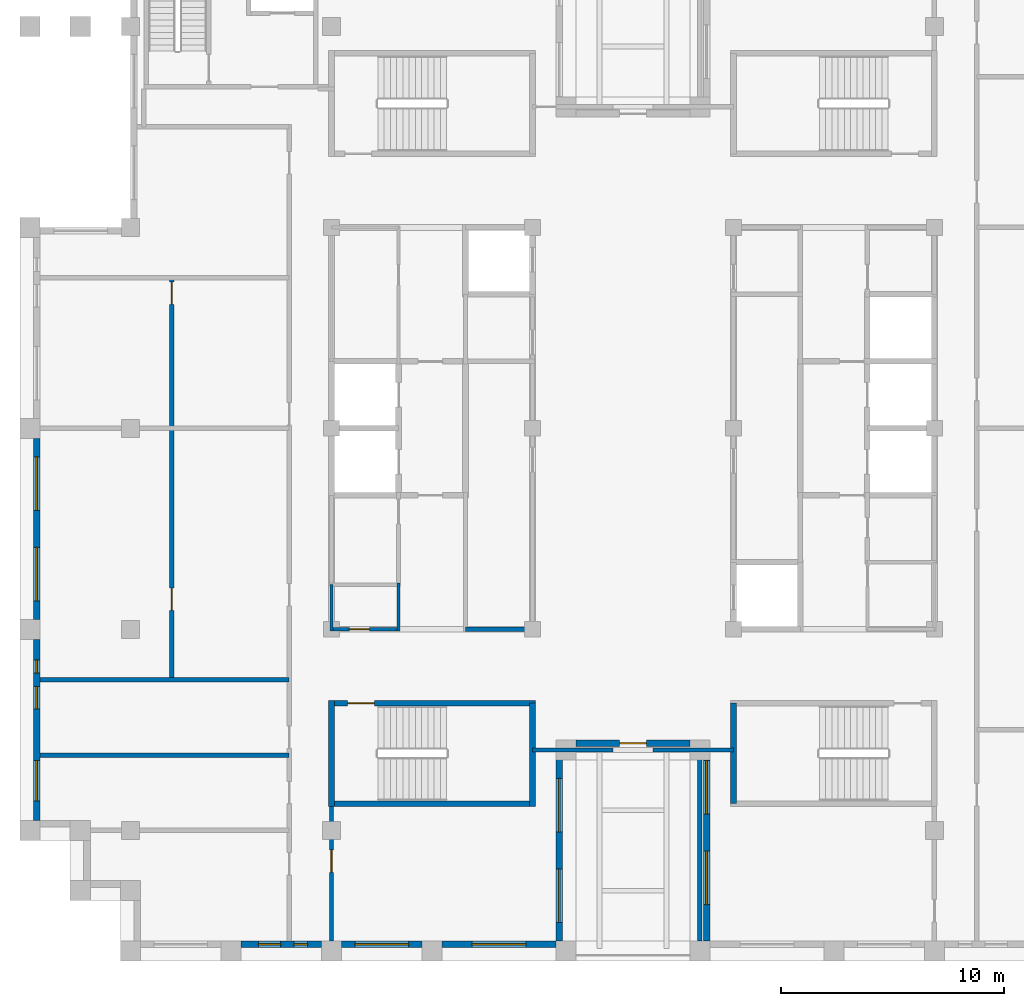
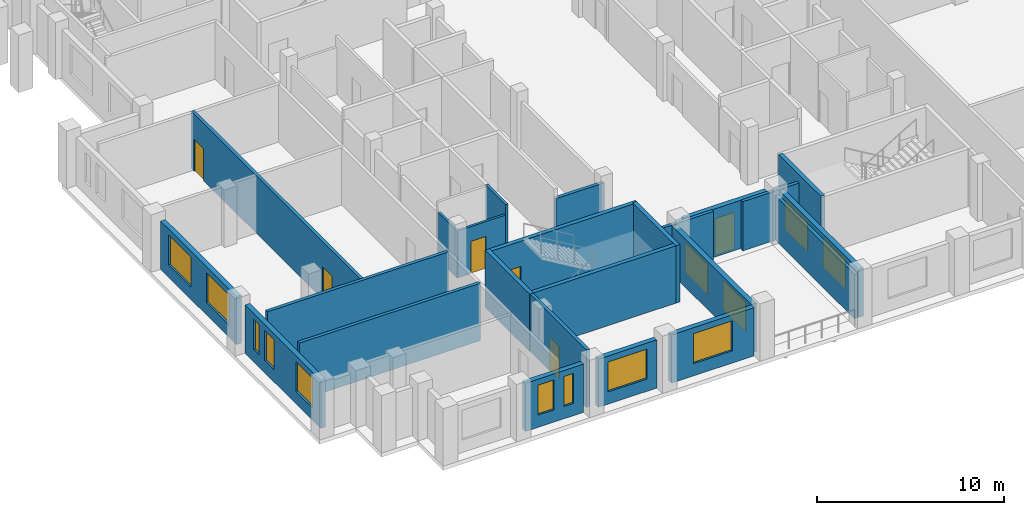
# One storey, part 2 of 9: 24 walls, 13 windows, 6 doors, 19 openings.
"""IFC4 building model written with IfcOpenShell, lengths in metres."""

import ifcopenshell
import ifcopenshell.guid

model = None  # the IFC model being written
_history = None  # IfcOwnerHistory: only IFC2X3 demands one
_inside = {}  # id of a spatial element -> (the spatial element, [elements in it])
_under = {}  # id of a project, library or spatial element -> (it, [spatial elements below it])
_declared = {}  # id of a project -> (the project, [libraries it declares])
_typed = {}  # id of a type object -> (the type object, [elements of that type])
_made_of = {}  # id of a material, layer set ... -> (it, [elements and type objects made of it])


def new_model(schema):
    """Start an empty IFC model of exactly this schema.

    Asked for "IFC4X3", IfcOpenShell would pick the latest addendum, in which some entities
    have other attributes; the version numbers below select the first issue.
    IFC2X3 requires an IfcOwnerHistory on every rooted entity: one is made here for all.
    """
    global model, _history
    if schema == "IFC4X3":
        model = ifcopenshell.file(schema_version=(4, 3, 0, 0))
    else:
        model = ifcopenshell.file(schema=schema)
    _inside.clear()
    _under.clear()
    _declared.clear()
    _typed.clear()
    _made_of.clear()
    _history = None
    if model.schema == "IFC2X3":
        org = make("IfcOrganization", Name="unknown")
        user = make(
            "IfcPersonAndOrganization",
            ThePerson=make("IfcPerson", FamilyName="unknown"),
            TheOrganization=org,
        )
        app = make(
            "IfcApplication",
            ApplicationDeveloper=org,
            Version="unknown",
            ApplicationFullName="unknown",
            ApplicationIdentifier="unknown",
        )
        _history = make(
            "IfcOwnerHistory",
            OwningUser=user,
            OwningApplication=app,
            ChangeAction="ADDED",
            CreationDate=0,
        )
    return model


def make(cls, **values):
    """One entity of the class cls with the attributes given. An attribute that is None is left unset."""
    return model.create_entity(
        cls, **{name: value for name, value in values.items() if value is not None}
    )


def rooted(cls, **values):
    """An entity with a GlobalId (a new one), such as an element, a storey or a relation."""
    return make(cls, GlobalId=ifcopenshell.guid.new(), OwnerHistory=_history, **values)


def si_unit(unit_type, name, prefix=None):
    """IfcSIUnit, for example si_unit("LENGTHUNIT", "METRE", prefix="MILLI")."""
    return make("IfcSIUnit", UnitType=unit_type, Prefix=prefix, Name=name)


def assignment(units):
    """IfcUnitAssignment: the units of a project."""
    return None if units is None else make("IfcUnitAssignment", Units=units)


def point(xyz):
    """IfcCartesianPoint."""
    return None if xyz is None else make("IfcCartesianPoint", Coordinates=xyz)


def direction(xyz):
    """IfcDirection."""
    return None if xyz is None else make("IfcDirection", DirectionRatios=xyz)


def frame(location, z_axis=None, x_axis=None):
    """IfcAxis2Placement3D, a coordinate frame: its origin and axes. An axis left out is left unset."""
    return make(
        "IfcAxis2Placement3D",
        Location=point(location),
        Axis=direction(z_axis),
        RefDirection=direction(x_axis),
    )


def frame_2d(location, x_axis=None):
    """IfcAxis2Placement2D, a coordinate frame in the plane: its origin and x axis."""
    return make(
        "IfcAxis2Placement2D", Location=point(location), RefDirection=direction(x_axis)
    )


def origin():
    """The frame at (0, 0, 0) with its axes left unset."""
    return frame((0.0, 0.0, 0.0))


def place(relative_to, where):
    """IfcLocalPlacement: puts the frame where relative to a parent placement (None: the world)."""
    return make(
        "IfcLocalPlacement", PlacementRelTo=relative_to, RelativePlacement=where
    )


def context(
    kind, dimensions, precision=None, world=None, true_north=None, identifier=None
):
    """IfcGeometricRepresentationContext, for example the 3D "Model" context."""
    return make(
        "IfcGeometricRepresentationContext",
        ContextIdentifier=identifier,
        ContextType=kind,
        CoordinateSpaceDimension=dimensions,
        Precision=precision,
        WorldCoordinateSystem=world,
        TrueNorth=true_north,
    )


def subcontext(parent, identifier, kind, view, scale=None):
    """IfcGeometricRepresentationSubContext, for example "Body" below "Model"."""
    return make(
        "IfcGeometricRepresentationSubContext",
        ContextIdentifier=identifier,
        ContextType=kind,
        ParentContext=parent,
        TargetScale=scale,
        TargetView=view,
    )


def project(units=None, contexts=None):
    """IfcProject with its units and contexts."""
    return rooted(
        "IfcProject",
        Name="project",
        RepresentationContexts=contexts,
        UnitsInContext=assignment(units),
    )


def spatial(cls, under=None, at=None, **own):
    """A site, building, storey or space (cls), placed at a placement, below another one or the project."""
    s = rooted(cls, ObjectPlacement=at, **own)
    if under is not None:
        _under.setdefault(under.id(), (under, []))[1].append(s)
    return s


def profile(cls, at=None, kind="AREA", **sizes):
    """A parametric profile (cls). Its sizes go by their IFC names, for example OverallWidth=200.0."""
    return make(cls, ProfileType=kind, Position=at, **sizes)


def rectangle(**sizes):
    """IfcRectangleProfileDef."""
    return profile("IfcRectangleProfileDef", **sizes)


def extrude(swept, where, along, depth):
    """IfcExtrudedAreaSolid: the profile swept, set in the frame where, extruded along a direction by depth."""
    return make(
        "IfcExtrudedAreaSolid",
        SweptArea=swept,
        Position=where,
        ExtrudedDirection=direction(along),
        Depth=depth,
    )


def shape(context_of_items, identifier, shape_type, items):
    """IfcShapeRepresentation: the items that make up one representation, for example the "Body"."""
    return make(
        "IfcShapeRepresentation",
        ContextOfItems=context_of_items,
        RepresentationIdentifier=identifier,
        RepresentationType=shape_type,
        Items=items,
    )


def material(Name=None, Category=None):
    """IfcMaterial."""
    return make("IfcMaterial", Name=Name, Category=Category)


def layer(
    of_material, thickness, ventilated=None, Name=None, Category=None, Priority=None
):
    """IfcMaterialLayer: one layer of a wall or slab, of a material (None: an air gap)."""
    return make(
        "IfcMaterialLayer",
        Material=of_material,
        LayerThickness=thickness,
        IsVentilated=ventilated,
        Name=Name,
        Category=Category,
        Priority=Priority,
    )


def layer_set(layers, Name=None):
    """IfcMaterialLayerSet."""
    return make("IfcMaterialLayerSet", MaterialLayers=layers, LayerSetName=Name)


def made_of(thing, what):
    """Note that an element or type object is made of a material, layer set ...; save() writes the relation."""
    if what is not None:
        _made_of.setdefault(what.id(), (what, []))[1].append(thing)
    return thing


def type_object(cls, material=None, **own):
    """A type object (cls), such as IfcWallType, which elements share."""
    return made_of(rooted(cls, **own), material)


def element(
    cls,
    number,
    at=None,
    inside=None,
    cuts=None,
    type_object=None,
    material=None,
    context=None,
    identifier="Body",
    shape_type=None,
    held_by="IfcProductDefinitionShape",
    body=None,
    shapes=None,
    **own,
):
    """One element of the class cls, such as IfcWall. Its Tag is "e" and its number.

    at: its placement. inside: the storey or other place that contains it. cuts: it is an
    opening in that element (IfcRelVoidsElement). A single representation is given by context,
    identifier, shape_type and body (its items); several are given by shapes. held_by: the class
    of the entity that holds the representations. save() writes the other relations.
    """
    e = rooted(cls, Tag="e%d" % number, ObjectPlacement=at, **own)
    if body is not None:
        shapes = [shape(context, identifier, shape_type, body)]
    if shapes is not None:
        e.Representation = make(held_by, Representations=shapes)
    if inside is not None:
        _inside.setdefault(inside.id(), (inside, []))[1].append(e)
    if cuts is not None:
        rooted(
            "IfcRelVoidsElement", RelatingBuildingElement=cuts, RelatedOpeningElement=e
        )
    if type_object is not None:
        _typed.setdefault(type_object.id(), (type_object, []))[1].append(e)
    return made_of(e, material)


def fill(opening, filler):
    """IfcRelFillsElement: the door or window that sits in an opening."""
    return rooted(
        "IfcRelFillsElement",
        RelatingOpeningElement=opening,
        RelatedBuildingElement=filler,
    )


def aggregate(whole, parts):
    """IfcRelAggregates: a whole, such as a stair, and the parts it consists of."""
    return rooted("IfcRelAggregates", RelatingObject=whole, RelatedObjects=parts)


def save(model, path):
    """Write the relations noted so far, then the file.

    IfcRelAggregates (storeys below a building ...), IfcRelContainedInSpatialStructure (elements
    in a storey), IfcRelDefinesByType, IfcRelAssociatesMaterial and IfcRelDeclares: one each for
    every whole, place, type object, material and project.
    """
    for whole, parts in _under.values():
        aggregate(whole, parts)
    for where, things in _inside.values():
        rooted(
            "IfcRelContainedInSpatialStructure",
            RelatedElements=things,
            RelatingStructure=where,
        )
    for kind, things in _typed.values():
        rooted("IfcRelDefinesByType", RelatedObjects=things, RelatingType=kind)
    for what, things in _made_of.values():
        rooted("IfcRelAssociatesMaterial", RelatedObjects=things, RelatingMaterial=what)
    for by, libraries in _declared.values():
        rooted("IfcRelDeclares", RelatingContext=by, RelatedDefinitions=libraries)
    model.write(path)


model = new_model("IFC4")

# Units and contexts
model_context = context("Model", 3, precision=1e-05, world=origin(), true_north=direction((0.0, 1.0)))
body_context = subcontext(model_context, "Body", "Model", "MODEL_VIEW")
ifc_project = project(units=[si_unit("LENGTHUNIT", "METRE"), si_unit("AREAUNIT", "SQUARE_METRE"), si_unit("VOLUMEUNIT", "CUBIC_METRE"), si_unit("PLANEANGLEUNIT", "RADIAN"), si_unit("MASSUNIT", "GRAM", prefix="KILO")], contexts=[model_context])

# Site, building, storey
site_placement = place(None, origin())
site = spatial("IfcSite", under=ifc_project, at=site_placement, CompositionType="ELEMENT")
building_placement = place(site_placement, origin())
building = spatial("IfcBuilding", under=site, at=building_placement, Name="Corbelhall Arena Tower", CompositionType="ELEMENT")
storey_placement = place(building_placement, frame((0.0, 0.0, 300.0)))
storey = spatial("IfcBuildingStorey", under=building, at=storey_placement, Name="L65", CompositionType="ELEMENT", Elevation=300.0)

# Wall, openings, windows
ifc_material_1 = material(Name="Precast concrete C40/50 with granite facing", Category="masonry")
ifc_layer_1 = layer(ifc_material_1, 0.300048828125)
ifc_layer_set_1 = layer_set([ifc_layer_1], Name="EV-IW1 Infill panel 300")
wall_type_1 = type_object("IfcWallType", Name="EV-IW1 Infill panel 300", PredefinedType="SOLIDWALL", material=ifc_layer_set_1)
wall_1_placement = place(storey_placement, frame((-26.699951171875, -0.449951171875, 0.0), z_axis=(0.0, 0.0, 1.0), x_axis=(0.0, -1.0, 0.0)))
wall_1 = element("IfcWall", 1, at=wall_1_placement, inside=storey, type_object=wall_type_1, Name="Infill panel IW1", PredefinedType="SOLIDWALL", context=body_context, shape_type="SweptSolid", body=[
    extrude(rectangle(XDim=8.10009765625, YDim=0.300048828125, at=frame_2d((4.050048828125, 0.0))), origin(), (0.0, 0.0, 1.0), 3.139892578125),
])
opening_1_placement = place(wall_1_placement, frame((0.824951171875, 0.0, 0.800048828125)))
opening_1 = element("IfcOpeningElement", 2, at=opening_1_placement, cuts=wall_1, Name="Opening WN1", PredefinedType="OPENING", context=body_context, shape_type="SweptSolid", body=[
    extrude(rectangle(XDim=2.39990234375, YDim=1.949951171875, at=frame_2d((1.199951171875, 0.97509765625))), frame((0.0, 0.14990234375, 0.0), z_axis=(0.0, -1.0, 0.0), x_axis=(1.0, 0.0, 0.0)), (0.0, 0.0, 1.0), 0.300048828125),
])
opening_2_placement = place(wall_1_placement, frame((4.875, 0.0, 0.800048828125)))
opening_2 = element("IfcOpeningElement", 3, at=opening_2_placement, cuts=wall_1, Name="Opening WN1", PredefinedType="OPENING", context=body_context, shape_type="SweptSolid", body=[
    extrude(rectangle(XDim=2.39990234375, YDim=1.949951171875, at=frame_2d((1.199951171875, 0.97509765625))), frame((0.0, 0.14990234375, 0.0), z_axis=(0.0, -1.0, 0.0), x_axis=(1.0, 0.0, 0.0)), (0.0, 0.0, 1.0), 0.300048828125),
])
ifc_material_2 = material(Name="Aluminium black anodised", Category="aluminium")
window_type_1 = type_object("IfcWindowType", Name="EV-WN1 Office window", PartitioningType="SINGLE_PANEL", PredefinedType="WINDOW", material=ifc_material_2)
window_1_placement = place(opening_1_placement, origin())
window_1 = element("IfcWindow", 4, at=window_1_placement, inside=storey, type_object=window_type_1, Name="Window WN1", OverallHeight=1.949951171875, OverallWidth=2.39990234375, PartitioningType="SINGLE_PANEL", PredefinedType="WINDOW", context=body_context, shape_type="SweptSolid", body=[
    extrude(rectangle(XDim=2.39990234375, YDim=1.949951171875, at=frame_2d((1.199951171875, 0.97509765625))), frame((0.0, 0.030029296875, 0.0), z_axis=(0.0, -1.0, 0.0), x_axis=(1.0, 0.0, 0.0)), (0.0, 0.0, 1.0), 0.06005859375),
])
fill(opening_1, window_1)
window_2_placement = place(opening_2_placement, origin())
window_2 = element("IfcWindow", 5, at=window_2_placement, inside=storey, type_object=window_type_1, Name="Window WN1", OverallHeight=1.949951171875, OverallWidth=2.39990234375, PartitioningType="SINGLE_PANEL", PredefinedType="WINDOW", context=body_context, shape_type="SweptSolid", body=[
    extrude(rectangle(XDim=2.39990234375, YDim=1.949951171875, at=frame_2d((1.199951171875, 0.97509765625))), frame((0.0, 0.030029296875, 0.0), z_axis=(0.0, -1.0, 0.0), x_axis=(1.0, 0.0, 0.0)), (0.0, 0.0, 1.0), 0.06005859375),
])
fill(opening_2, window_2)

wall_2_placement = place(storey_placement, frame((-26.699951171875, -9.449951171875, 0.0), z_axis=(0.0, 0.0, 1.0), x_axis=(0.0, -1.0, 0.0)))
wall_2 = element("IfcWall", 6, at=wall_2_placement, inside=storey, type_object=wall_type_1, Name="Infill panel IW1", PredefinedType="SOLIDWALL", context=body_context, shape_type="SweptSolid", body=[
    extrude(rectangle(XDim=8.10009765625, YDim=0.300048828125, at=frame_2d((4.050048828125, 0.0))), origin(), (0.0, 0.0, 1.0), 3.139892578125),
])
opening_3_placement = place(wall_2_placement, frame((0.91259765625, 0.0, 0.800048828125)))
opening_3 = element("IfcOpeningElement", 7, at=opening_3_placement, cuts=wall_2, Name="Opening WN5", PredefinedType="OPENING", context=body_context, shape_type="SweptSolid", body=[
    extrude(rectangle(XDim=0.60009765625, YDim=1.949951171875, at=frame_2d((0.300048828125, 0.97509765625))), frame((0.0, 0.14990234375, 0.0), z_axis=(0.0, -1.0, 0.0), x_axis=(1.0, 0.0, 0.0)), (0.0, 0.0, 1.0), 0.300048828125),
])
opening_4_placement = place(wall_2_placement, frame((2.112548828125, 0.0, 0.800048828125)))
opening_4 = element("IfcOpeningElement", 8, at=opening_4_placement, cuts=wall_2, Name="Opening WN6", PredefinedType="OPENING", context=body_context, shape_type="SweptSolid", body=[
    extrude(rectangle(XDim=1.0, YDim=1.949951171875, at=frame_2d((0.5, 0.97509765625))), frame((0.0, 0.14990234375, 0.0), z_axis=(0.0, -1.0, 0.0), x_axis=(1.0, 0.0, 0.0)), (0.0, 0.0, 1.0), 0.300048828125),
])
opening_5_placement = place(wall_2_placement, frame((5.425048828125, 0.0, 0.800048828125)))
opening_5 = element("IfcOpeningElement", 9, at=opening_5_placement, cuts=wall_2, Name="Opening WN8", PredefinedType="OPENING", context=body_context, shape_type="SweptSolid", body=[
    extrude(rectangle(XDim=1.800048828125, YDim=1.949951171875, at=frame_2d((0.89990234375, 0.97509765625))), frame((0.0, 0.14990234375, 0.0), z_axis=(0.0, -1.0, 0.0), x_axis=(1.0, 0.0, 0.0)), (0.0, 0.0, 1.0), 0.300048828125),
])
window_type_2 = type_object("IfcWindowType", Name="EV-WN5 Office window 600", PartitioningType="SINGLE_PANEL", PredefinedType="WINDOW", material=ifc_material_2)
window_3_placement = place(opening_3_placement, origin())
window_3 = element("IfcWindow", 10, at=window_3_placement, inside=storey, type_object=window_type_2, Name="Window WN5", OverallHeight=1.949951171875, OverallWidth=0.60009765625, PartitioningType="SINGLE_PANEL", PredefinedType="WINDOW", context=body_context, shape_type="SweptSolid", body=[
    extrude(rectangle(XDim=0.60009765625, YDim=1.949951171875, at=frame_2d((0.300048828125, 0.97509765625))), frame((0.0, 0.030029296875, 0.0), z_axis=(0.0, -1.0, 0.0), x_axis=(1.0, 0.0, 0.0)), (0.0, 0.0, 1.0), 0.06005859375),
])
fill(opening_3, window_3)
window_type_3 = type_object("IfcWindowType", Name="EV-WN6 Office window 1000", PartitioningType="SINGLE_PANEL", PredefinedType="WINDOW", material=ifc_material_2)
window_4_placement = place(opening_4_placement, origin())
window_4 = element("IfcWindow", 11, at=window_4_placement, inside=storey, type_object=window_type_3, Name="Window WN6", OverallHeight=1.949951171875, OverallWidth=1.0, PartitioningType="SINGLE_PANEL", PredefinedType="WINDOW", context=body_context, shape_type="SweptSolid", body=[
    extrude(rectangle(XDim=1.0, YDim=1.949951171875, at=frame_2d((0.5, 0.97509765625))), frame((0.0, 0.030029296875, 0.0), z_axis=(0.0, -1.0, 0.0), x_axis=(1.0, 0.0, 0.0)), (0.0, 0.0, 1.0), 0.06005859375),
])
fill(opening_4, window_4)
window_type_4 = type_object("IfcWindowType", Name="EV-WN8 Office window 1800", PartitioningType="SINGLE_PANEL", PredefinedType="WINDOW", material=ifc_material_2)
window_5_placement = place(opening_5_placement, origin())
window_5 = element("IfcWindow", 12, at=window_5_placement, inside=storey, type_object=window_type_4, Name="Window WN8", OverallHeight=1.949951171875, OverallWidth=1.800048828125, PartitioningType="SINGLE_PANEL", PredefinedType="WINDOW", context=body_context, shape_type="SweptSolid", body=[
    extrude(rectangle(XDim=1.800048828125, YDim=1.949951171875, at=frame_2d((0.89990234375, 0.97509765625))), frame((0.0, 0.030029296875, 0.0), z_axis=(0.0, -1.0, 0.0), x_axis=(1.0, 0.0, 0.0)), (0.0, 0.0, 1.0), 0.06005859375),
])
fill(opening_5, window_5)

wall_3_placement = place(storey_placement, frame((-17.550048828125, -23.10009765625, 0.0), z_axis=(0.0, 0.0, 1.0), x_axis=(1.0, 0.0, 0.0)))
wall_3 = element("IfcWall", 13, at=wall_3_placement, inside=storey, type_object=wall_type_1, Name="Infill panel IW1", PredefinedType="SOLIDWALL", context=body_context, shape_type="SweptSolid", body=[
    extrude(rectangle(XDim=3.60009765625, YDim=0.300048828125, at=frame_2d((1.800048828125, 0.0))), origin(), (0.0, 0.0, 1.0), 3.139892578125),
])
opening_6_placement = place(wall_3_placement, frame((0.77490234375, 0.0, 0.800048828125)))
opening_6 = element("IfcOpeningElement", 14, at=opening_6_placement, cuts=wall_3, Name="Opening WN6", PredefinedType="OPENING", context=body_context, shape_type="SweptSolid", body=[
    extrude(rectangle(XDim=1.0, YDim=1.949951171875, at=frame_2d((0.5, 0.97509765625))), frame((0.0, 0.14990234375, 0.0), z_axis=(0.0, -1.0, 0.0), x_axis=(1.0, 0.0, 0.0)), (0.0, 0.0, 1.0), 0.300048828125),
])
opening_7_placement = place(wall_3_placement, frame((2.375, 0.0, 0.800048828125)))
opening_7 = element("IfcOpeningElement", 15, at=opening_7_placement, cuts=wall_3, Name="Opening WN5", PredefinedType="OPENING", context=body_context, shape_type="SweptSolid", body=[
    extrude(rectangle(XDim=0.60009765625, YDim=1.949951171875, at=frame_2d((0.300048828125, 0.97509765625))), frame((0.0, 0.14990234375, 0.0), z_axis=(0.0, -1.0, 0.0), x_axis=(1.0, 0.0, 0.0)), (0.0, 0.0, 1.0), 0.300048828125),
])
window_6_placement = place(opening_7_placement, origin())
window_6 = element("IfcWindow", 16, at=window_6_placement, inside=storey, type_object=window_type_2, Name="Window WN5", OverallHeight=1.949951171875, OverallWidth=0.60009765625, PartitioningType="SINGLE_PANEL", PredefinedType="WINDOW", context=body_context, shape_type="SweptSolid", body=[
    extrude(rectangle(XDim=0.60009765625, YDim=1.949951171875, at=frame_2d((0.300048828125, 0.97509765625))), frame((0.0, 0.030029296875, 0.0), z_axis=(0.0, -1.0, 0.0), x_axis=(1.0, 0.0, 0.0)), (0.0, 0.0, 1.0), 0.06005859375),
])
fill(opening_7, window_6)
window_7_placement = place(opening_6_placement, origin())
window_7 = element("IfcWindow", 17, at=window_7_placement, inside=storey, type_object=window_type_3, Name="Window WN6", OverallHeight=1.949951171875, OverallWidth=1.0, PartitioningType="SINGLE_PANEL", PredefinedType="WINDOW", context=body_context, shape_type="SweptSolid", body=[
    extrude(rectangle(XDim=1.0, YDim=1.949951171875, at=frame_2d((0.5, 0.97509765625))), frame((0.0, 0.030029296875, 0.0), z_axis=(0.0, -1.0, 0.0), x_axis=(1.0, 0.0, 0.0)), (0.0, 0.0, 1.0), 0.06005859375),
])
fill(opening_6, window_7)

# Wall, opening, window
wall_4_placement = place(storey_placement, frame((-13.050048828125, -23.10009765625, 0.0), z_axis=(0.0, 0.0, 1.0), x_axis=(1.0, 0.0, 0.0)))
wall_4 = element("IfcWall", 18, at=wall_4_placement, inside=storey, type_object=wall_type_1, Name="Infill panel IW1", PredefinedType="SOLIDWALL", context=body_context, shape_type="SweptSolid", body=[
    extrude(rectangle(XDim=3.60009765625, YDim=0.300048828125, at=frame_2d((1.800048828125, 0.0))), origin(), (0.0, 0.0, 1.0), 3.139892578125),
])
opening_8_placement = place(wall_4_placement, frame((0.60009765625, 0.0, 0.800048828125)))
opening_8 = element("IfcOpeningElement", 19, at=opening_8_placement, cuts=wall_4, Name="Opening WN1", PredefinedType="OPENING", context=body_context, shape_type="SweptSolid", body=[
    extrude(rectangle(XDim=2.39990234375, YDim=1.949951171875, at=frame_2d((1.199951171875, 0.97509765625))), frame((0.0, 0.14990234375, 0.0), z_axis=(0.0, -1.0, 0.0), x_axis=(1.0, 0.0, 0.0)), (0.0, 0.0, 1.0), 0.300048828125),
])
window_8_placement = place(opening_8_placement, origin())
window_8 = element("IfcWindow", 20, at=window_8_placement, inside=storey, type_object=window_type_1, Name="Window WN1", OverallHeight=1.949951171875, OverallWidth=2.39990234375, PartitioningType="SINGLE_PANEL", PredefinedType="WINDOW", context=body_context, shape_type="SweptSolid", body=[
    extrude(rectangle(XDim=2.39990234375, YDim=1.949951171875, at=frame_2d((1.199951171875, 0.97509765625))), frame((0.0, 0.030029296875, 0.0), z_axis=(0.0, -1.0, 0.0), x_axis=(1.0, 0.0, 0.0)), (0.0, 0.0, 1.0), 0.06005859375),
])
fill(opening_8, window_8)

wall_5_placement = place(storey_placement, frame((-8.550048828125, -23.10009765625, 0.0), z_axis=(0.0, 0.0, 1.0), x_axis=(1.0, 0.0, 0.0)))
wall_5 = element("IfcWall", 21, at=wall_5_placement, inside=storey, type_object=wall_type_1, Name="Infill panel IW1", PredefinedType="SOLIDWALL", context=body_context, shape_type="SweptSolid", body=[
    extrude(rectangle(XDim=5.10009765625, YDim=0.300048828125, at=frame_2d((2.550048828125, 0.0))), origin(), (0.0, 0.0, 1.0), 3.139892578125),
])
opening_9_placement = place(wall_5_placement, frame((1.35009765625, 0.0, 0.800048828125)))
opening_9 = element("IfcOpeningElement", 22, at=opening_9_placement, cuts=wall_5, Name="Opening WN1", PredefinedType="OPENING", context=body_context, shape_type="SweptSolid", body=[
    extrude(rectangle(XDim=2.39990234375, YDim=1.949951171875, at=frame_2d((1.199951171875, 0.97509765625))), frame((0.0, 0.14990234375, 0.0), z_axis=(0.0, -1.0, 0.0), x_axis=(1.0, 0.0, 0.0)), (0.0, 0.0, 1.0), 0.300048828125),
])
window_9_placement = place(opening_9_placement, origin())
window_9 = element("IfcWindow", 23, at=window_9_placement, inside=storey, type_object=window_type_1, Name="Window WN1", OverallHeight=1.949951171875, OverallWidth=2.39990234375, PartitioningType="SINGLE_PANEL", PredefinedType="WINDOW", context=body_context, shape_type="SweptSolid", body=[
    extrude(rectangle(XDim=2.39990234375, YDim=1.949951171875, at=frame_2d((1.199951171875, 0.97509765625))), frame((0.0, 0.030029296875, 0.0), z_axis=(0.0, -1.0, 0.0), x_axis=(1.0, 0.0, 0.0)), (0.0, 0.0, 1.0), 0.06005859375),
])
fill(opening_9, window_9)

# Wall, openings, windows
wall_6_placement = place(storey_placement, frame((-3.300048828125, -22.949951171875, 0.0), z_axis=(0.0, 0.0, 1.0), x_axis=(0.0, 1.0, 0.0)))
wall_6 = element("IfcWall", 24, at=wall_6_placement, inside=storey, type_object=wall_type_1, Name="Infill panel IW1", PredefinedType="SOLIDWALL", context=body_context, shape_type="SweptSolid", body=[
    extrude(rectangle(XDim=8.5, YDim=0.300048828125, at=frame_2d((4.25, 0.0))), origin(), (0.0, 0.0, 1.0), 3.139892578125),
])
opening_10_placement = place(wall_6_placement, frame((0.824951171875, 0.0, 0.800048828125)))
opening_10 = element("IfcOpeningElement", 25, at=opening_10_placement, cuts=wall_6, Name="Opening WN1", PredefinedType="OPENING", context=body_context, shape_type="SweptSolid", body=[
    extrude(rectangle(XDim=2.39990234375, YDim=1.949951171875, at=frame_2d((1.199951171875, 0.97509765625))), frame((0.0, 0.14990234375, 0.0), z_axis=(0.0, -1.0, 0.0), x_axis=(1.0, 0.0, 0.0)), (0.0, 0.0, 1.0), 0.300048828125),
])
opening_11_placement = place(wall_6_placement, frame((4.875, 0.0, 0.800048828125)))
opening_11 = element("IfcOpeningElement", 26, at=opening_11_placement, cuts=wall_6, Name="Opening WN1", PredefinedType="OPENING", context=body_context, shape_type="SweptSolid", body=[
    extrude(rectangle(XDim=2.39990234375, YDim=1.949951171875, at=frame_2d((1.199951171875, 0.97509765625))), frame((0.0, 0.14990234375, 0.0), z_axis=(0.0, -1.0, 0.0), x_axis=(1.0, 0.0, 0.0)), (0.0, 0.0, 1.0), 0.300048828125),
])
window_10_placement = place(opening_10_placement, origin())
window_10 = element("IfcWindow", 27, at=window_10_placement, inside=storey, type_object=window_type_1, Name="Window WN1", OverallHeight=1.949951171875, OverallWidth=2.39990234375, PartitioningType="SINGLE_PANEL", PredefinedType="WINDOW", context=body_context, shape_type="SweptSolid", body=[
    extrude(rectangle(XDim=2.39990234375, YDim=1.949951171875, at=frame_2d((1.199951171875, 0.97509765625))), frame((0.0, 0.030029296875, 0.0), z_axis=(0.0, -1.0, 0.0), x_axis=(1.0, 0.0, 0.0)), (0.0, 0.0, 1.0), 0.06005859375),
])
fill(opening_10, window_10)
window_11_placement = place(opening_11_placement, origin())
window_11 = element("IfcWindow", 28, at=window_11_placement, inside=storey, type_object=window_type_1, Name="Window WN1", OverallHeight=1.949951171875, OverallWidth=2.39990234375, PartitioningType="SINGLE_PANEL", PredefinedType="WINDOW", context=body_context, shape_type="SweptSolid", body=[
    extrude(rectangle(XDim=2.39990234375, YDim=1.949951171875, at=frame_2d((1.199951171875, 0.97509765625))), frame((0.0, 0.030029296875, 0.0), z_axis=(0.0, -1.0, 0.0), x_axis=(1.0, 0.0, 0.0)), (0.0, 0.0, 1.0), 0.06005859375),
])
fill(opening_11, window_11)

# Wall, opening, door
wall_7_placement = place(storey_placement, frame((2.550048828125, -14.10009765625, 0.0), z_axis=(0.0, 0.0, 1.0), x_axis=(-1.0, 0.0, 0.0)))
wall_7 = element("IfcWall", 29, at=wall_7_placement, inside=storey, type_object=wall_type_1, Name="Infill panel IW1", PredefinedType="SOLIDWALL", context=body_context, shape_type="SweptSolid", body=[
    extrude(rectangle(XDim=5.10009765625, YDim=0.300048828125, at=frame_2d((2.550048828125, 0.0))), origin(), (0.0, 0.0, 1.0), 3.139892578125),
])
opening_12_placement = place(wall_7_placement, frame((1.949951171875, 0.0, 0.0)))
opening_12 = element("IfcOpeningElement", 30, at=opening_12_placement, cuts=wall_7, Name="Opening ED1", PredefinedType="OPENING", context=body_context, shape_type="SweptSolid", body=[
    extrude(rectangle(XDim=1.199951171875, YDim=2.39990234375, at=frame_2d((0.60009765625, 1.199951171875))), frame((0.0, 0.14990234375, 0.0), z_axis=(0.0, -1.0, 0.0), x_axis=(1.0, 0.0, 0.0)), (0.0, 0.0, 1.0), 0.300048828125),
])
door_type_1 = type_object("IfcDoorType", Name="EV-ED1 Terrace door", OperationType="SINGLE_SWING_LEFT", PredefinedType="DOOR", material=ifc_material_2)
door_1_placement = place(opening_12_placement, origin())
door_1 = element("IfcDoor", 31, at=door_1_placement, inside=storey, type_object=door_type_1, Name="Terrace door", OperationType="SINGLE_SWING_LEFT", OverallHeight=2.39990234375, OverallWidth=1.199951171875, PredefinedType="DOOR", context=body_context, shape_type="SweptSolid", body=[
    extrude(rectangle(XDim=1.199951171875, YDim=2.39990234375, at=frame_2d((0.60009765625, 1.199951171875))), frame((0.0, 0.02490234375, 0.0), z_axis=(0.0, -1.0, 0.0), x_axis=(1.0, 0.0, 0.0)), (0.0, 0.0, 1.0), 0.050048828125),
])
fill(opening_12, door_1)

# Wall, openings, windows
wall_8_placement = place(storey_placement, frame((3.300048828125, -14.449951171875, 0.0), z_axis=(0.0, 0.0, 1.0), x_axis=(0.0, -1.0, 0.0)))
wall_8 = element("IfcWall", 32, at=wall_8_placement, inside=storey, type_object=wall_type_1, Name="Infill panel IW1", PredefinedType="SOLIDWALL", context=body_context, shape_type="SweptSolid", body=[
    extrude(rectangle(XDim=8.5, YDim=0.300048828125, at=frame_2d((4.25, 0.0))), origin(), (0.0, 0.0, 1.0), 3.139892578125),
])
opening_13_placement = place(wall_8_placement, frame((0.425048828125, 0.0, 0.800048828125)))
opening_13 = element("IfcOpeningElement", 33, at=opening_13_placement, cuts=wall_8, Name="Opening WN1", PredefinedType="OPENING", context=body_context, shape_type="SweptSolid", body=[
    extrude(rectangle(XDim=2.39990234375, YDim=1.949951171875, at=frame_2d((1.199951171875, 0.97509765625))), frame((0.0, 0.14990234375, 0.0), z_axis=(0.0, -1.0, 0.0), x_axis=(1.0, 0.0, 0.0)), (0.0, 0.0, 1.0), 0.300048828125),
])
opening_14_placement = place(wall_8_placement, frame((4.47509765625, 0.0, 0.800048828125)))
opening_14 = element("IfcOpeningElement", 34, at=opening_14_placement, cuts=wall_8, Name="Opening WN1", PredefinedType="OPENING", context=body_context, shape_type="SweptSolid", body=[
    extrude(rectangle(XDim=2.39990234375, YDim=1.949951171875, at=frame_2d((1.199951171875, 0.97509765625))), frame((0.0, 0.14990234375, 0.0), z_axis=(0.0, -1.0, 0.0), x_axis=(1.0, 0.0, 0.0)), (0.0, 0.0, 1.0), 0.300048828125),
])
window_12_placement = place(opening_13_placement, origin())
window_12 = element("IfcWindow", 35, at=window_12_placement, inside=storey, type_object=window_type_1, Name="Window WN1", OverallHeight=1.949951171875, OverallWidth=2.39990234375, PartitioningType="SINGLE_PANEL", PredefinedType="WINDOW", context=body_context, shape_type="SweptSolid", body=[
    extrude(rectangle(XDim=2.39990234375, YDim=1.949951171875, at=frame_2d((1.199951171875, 0.97509765625))), frame((0.0, 0.030029296875, 0.0), z_axis=(0.0, -1.0, 0.0), x_axis=(1.0, 0.0, 0.0)), (0.0, 0.0, 1.0), 0.06005859375),
])
fill(opening_13, window_12)
window_13_placement = place(opening_14_placement, origin())
window_13 = element("IfcWindow", 36, at=window_13_placement, inside=storey, type_object=window_type_1, Name="Window WN1", OverallHeight=1.949951171875, OverallWidth=2.39990234375, PartitioningType="SINGLE_PANEL", PredefinedType="WINDOW", context=body_context, shape_type="SweptSolid", body=[
    extrude(rectangle(XDim=2.39990234375, YDim=1.949951171875, at=frame_2d((1.199951171875, 0.97509765625))), frame((0.0, 0.030029296875, 0.0), z_axis=(0.0, -1.0, 0.0), x_axis=(1.0, 0.0, 0.0)), (0.0, 0.0, 1.0), 0.06005859375),
])
fill(opening_14, window_13)

# Walls
ifc_material_3 = material(Name="Gypsum board on steel stud, acoustic", Category="steel")
ifc_layer_2 = layer(ifc_material_3, 0.199951171875)
ifc_layer_set_2 = layer_set([ifc_layer_2], Name="IN-W-DM200")
wall_type_2 = type_object("IfcWallType", Name="IN-W-DM200", PredefinedType="PARTITIONING", material=ifc_layer_set_2)
for number, where, z_axis, x_axis, name in (
    (37, (-26.550048828125, -14.625, 0.0), (0.0, 0.0, 1.0), (1.0, 0.0, 0.0), "Partition 001"),
    (38, (-26.550048828125, -11.25, 0.0), (0.0, 0.0, 1.0), (1.0, 0.0, 0.0), "Partition 002"),
):
    element("IfcWall", number, at=place(storey_placement, frame(where, z_axis=z_axis, x_axis=x_axis)), inside=storey, type_object=wall_type_2, Name=name, PredefinedType="PARTITIONING", context=body_context, shape_type="SweptSolid", body=[
        extrude(rectangle(XDim=11.150146484375, YDim=0.199951171875, at=frame_2d((5.5751953125, 0.0))), origin(), (0.0, 0.0, 1.0), 3.739990234375),
    ])

# Wall, openings, doors
wall_9_placement = place(storey_placement, frame((-20.64990234375, -11.25, 0.0), z_axis=(0.0, 0.0, 1.0), x_axis=(0.0, 1.0, 0.0)))
wall_9 = element("IfcWall", 39, at=wall_9_placement, inside=storey, type_object=wall_type_2, Name="Partition 007", PredefinedType="PARTITIONING", context=body_context, shape_type="SweptSolid", body=[
    extrude(rectangle(XDim=18.10009765625, YDim=0.199951171875, at=frame_2d((9.050048828125, 0.0))), origin(), (0.0, 0.0, 1.0), 3.739990234375),
])
opening_15_placement = place(wall_9_placement, frame((16.800048828125, 0.0, 0.0)))
opening_15 = element("IfcOpeningElement", 40, at=opening_15_placement, cuts=wall_9, Name="Opening 21022", PredefinedType="OPENING", context=body_context, shape_type="SweptSolid", body=[
    extrude(rectangle(XDim=1.0, YDim=2.10009765625, at=frame_2d((0.5, 1.050048828125))), frame((0.0, 0.10009765625, 0.0), z_axis=(0.0, -1.0, 0.0), x_axis=(1.0, 0.0, 0.0)), (0.0, 0.0, 1.0), 0.199951171875),
])
opening_16_placement = place(wall_9_placement, frame((3.10009765625, 0.0, 0.0)))
opening_16 = element("IfcOpeningElement", 41, at=opening_16_placement, cuts=wall_9, Name="Opening 21028", PredefinedType="OPENING", context=body_context, shape_type="SweptSolid", body=[
    extrude(rectangle(XDim=1.0, YDim=2.10009765625, at=frame_2d((0.5, 1.050048828125))), frame((0.0, 0.10009765625, 0.0), z_axis=(0.0, -1.0, 0.0), x_axis=(1.0, 0.0, 0.0)), (0.0, 0.0, 1.0), 0.199951171875),
])
ifc_material_4 = material(Name="Steel door set", Category="steel")
door_type_2 = type_object("IfcDoorType", Name="IN-D-SW100", OperationType="NOTDEFINED", PredefinedType="DOOR", material=ifc_material_4)
door_2_placement = place(opening_15_placement, origin())
door_2 = element("IfcDoor", 42, at=door_2_placement, inside=storey, type_object=door_type_2, Name="Door 022", OperationType="SINGLE_SWING_LEFT", OverallHeight=2.10009765625, OverallWidth=1.0, PredefinedType="DOOR", context=body_context, shape_type="SweptSolid", body=[
    extrude(rectangle(XDim=1.0, YDim=2.10009765625, at=frame_2d((0.5, 1.050048828125))), frame((0.0, 0.02490234375, 0.0), z_axis=(0.0, -1.0, 0.0), x_axis=(1.0, 0.0, 0.0)), (0.0, 0.0, 1.0), 0.050048828125),
])
fill(opening_15, door_2)
door_3_placement = place(opening_16_placement, origin())
door_3 = element("IfcDoor", 43, at=door_3_placement, inside=storey, type_object=door_type_2, Name="Door 028", OperationType="SINGLE_SWING_LEFT", OverallHeight=2.10009765625, OverallWidth=1.0, PredefinedType="DOOR", context=body_context, shape_type="SweptSolid", body=[
    extrude(rectangle(XDim=1.0, YDim=2.10009765625, at=frame_2d((0.5, 1.050048828125))), frame((0.0, 0.02490234375, 0.0), z_axis=(0.0, -1.0, 0.0), x_axis=(1.0, 0.0, 0.0)), (0.0, 0.0, 1.0), 0.050048828125),
])
fill(opening_16, door_3)

# Wall, opening, door
wall_10_placement = place(storey_placement, frame((-13.5, -16.675048828125, 0.0), z_axis=(0.0, 0.0, 1.0), x_axis=(0.0, -1.0, 0.0)))
wall_10 = element("IfcWall", 44, at=wall_10_placement, inside=storey, type_object=wall_type_2, Name="Partition 013", PredefinedType="PARTITIONING", context=body_context, shape_type="SweptSolid", body=[
    extrude(rectangle(XDim=6.27490234375, YDim=0.199951171875, at=frame_2d((3.137451171875, 0.0))), origin(), (0.0, 0.0, 1.0), 3.739990234375),
])
opening_17_placement = place(wall_10_placement, frame((2.199951171875, 0.0, 0.0)))
opening_17 = element("IfcOpeningElement", 45, at=opening_17_placement, cuts=wall_10, Name="Opening 21019", PredefinedType="OPENING", context=body_context, shape_type="SweptSolid", body=[
    extrude(rectangle(XDim=1.0, YDim=2.10009765625, at=frame_2d((0.5, 1.050048828125))), frame((0.0, 0.10009765625, 0.0), z_axis=(0.0, -1.0, 0.0), x_axis=(1.0, 0.0, 0.0)), (0.0, 0.0, 1.0), 0.199951171875),
])
door_4_placement = place(opening_17_placement, origin())
door_4 = element("IfcDoor", 46, at=door_4_placement, inside=storey, type_object=door_type_2, Name="Door 019", OperationType="SINGLE_SWING_RIGHT", OverallHeight=2.10009765625, OverallWidth=1.0, PredefinedType="DOOR", context=body_context, shape_type="SweptSolid", body=[
    extrude(rectangle(XDim=1.0, YDim=2.10009765625, at=frame_2d((0.5, 1.050048828125))), frame((0.0, 0.02490234375, 0.0), z_axis=(0.0, -1.0, 0.0), x_axis=(1.0, 0.0, 0.0)), (0.0, 0.0, 1.0), 0.050048828125),
])
fill(opening_17, door_4)

# Walls
ifc_layer_3 = layer(ifc_material_3, 0.199951171875)
ifc_layer_set_3 = layer_set([ifc_layer_3], Name="IN-W-DM200 under beam 533 mm")
wall_type_3 = type_object("IfcWallType", Name="IN-W-DM200 under beam 533 mm", PredefinedType="PARTITIONING", material=ifc_layer_set_3)
for number, where, z_axis, x_axis, name in (
    (47, (-0.89990234375, -14.39990234375, 0.0), (0.0, 0.0, 1.0), (-1.0, 0.0, 0.0), "Partition 015"),
    (48, (4.5, -14.39990234375, 0.0), (0.0, 0.0, 1.0), (-1.0, 0.0, 0.0), "Partition 019"),
):
    element("IfcWall", number, at=place(storey_placement, frame(where, z_axis=z_axis, x_axis=x_axis)), inside=storey, type_object=wall_type_3, Name=name, PredefinedType="PARTITIONING", context=body_context, shape_type="SweptSolid", body=[
        extrude(rectangle(XDim=3.60009765625, YDim=0.199951171875, at=frame_2d((1.800048828125, 0.0))), origin(), (0.0, 0.0, 1.0), 3.20654296875),
    ])
ifc_layer_4 = layer(ifc_material_3, 0.199951171875)
ifc_layer_set_4 = layer_set([ifc_layer_4], Name="IN-W-DM200 under beam 846 mm")
wall_type_4 = type_object("IfcWallType", Name="IN-W-DM200 under beam 846 mm", PredefinedType="PARTITIONING", material=ifc_layer_set_4)
wall_11_placement = place(storey_placement, frame((3.0, -14.39990234375, 0.0), z_axis=(0.0, 0.0, 1.0), x_axis=(0.0, -1.0, 0.0)))
element("IfcWall", 49, at=wall_11_placement, inside=storey, type_object=wall_type_4, Name="Partition 017", PredefinedType="PARTITIONING", context=body_context, shape_type="SweptSolid", body=[
    extrude(rectangle(XDim=8.550048828125, YDim=0.199951171875, at=frame_2d((4.27490234375, 0.0))), origin(), (0.0, 0.0, 1.0), 2.894287109375),
])
ifc_material_5 = material(Name="Concrete block wall", Category="concrete")
ifc_layer_5 = layer(ifc_material_5, 0.199951171875)
ifc_layer_set_5 = layer_set([ifc_layer_5], Name="IN-W-RS200 under beam 678 mm")
wall_type_5 = type_object("IfcWallType", Name="IN-W-RS200 under beam 678 mm", PredefinedType="SOLIDWALL", material=ifc_layer_set_5)
wall_12_placement = place(storey_placement, frame((-4.5, -9.0, 0.0), z_axis=(0.0, 0.0, 1.0), x_axis=(-1.0, 0.0, 0.0)))
element("IfcWall", 50, at=wall_12_placement, inside=storey, type_object=wall_type_5, Name="Partition 034", PredefinedType="SOLIDWALL", context=body_context, shape_type="SweptSolid", body=[
    extrude(rectangle(XDim=3.0, YDim=0.199951171875, at=frame_2d((1.5, 0.0))), origin(), (0.0, 0.0, 1.0), 3.061767578125),
])
ifc_material_6 = material(Name="Concrete C40/50", Category="concrete")
ifc_layer_6 = layer(ifc_material_6, 0.25)
ifc_layer_set_6 = layer_set([ifc_layer_6], Name="IN-W-ST250")
wall_type_6 = type_object("IfcWallType", Name="IN-W-ST250", PredefinedType="SOLIDWALL", material=ifc_layer_set_6)
wall_13_placement = place(storey_placement, frame((-13.5, -12.175048828125, 0.0), z_axis=(0.0, 0.0, 1.0), x_axis=(0.0, -1.0, 0.0)))
element("IfcWall", 51, at=wall_13_placement, inside=storey, type_object=wall_type_6, Name="Shaft wall 067", PredefinedType="SOLIDWALL", context=body_context, shape_type="SweptSolid", body=[
    extrude(rectangle(XDim=4.75, YDim=0.25, at=frame_2d((2.375, 0.0))), origin(), (0.0, 0.0, 1.0), 3.739990234375),
])
wall_14_placement = place(storey_placement, frame((-4.5, -16.800048828125, 0.0), z_axis=(0.0, 0.0, 1.0), x_axis=(-1.0, 0.0, 0.0)))
element("IfcWall", 52, at=wall_14_placement, inside=storey, type_object=wall_type_6, Name="Shaft wall 071", PredefinedType="SOLIDWALL", context=body_context, shape_type="SweptSolid", body=[
    extrude(rectangle(XDim=9.0, YDim=0.25, at=frame_2d((4.5, 0.0))), origin(), (0.0, 0.0, 1.0), 3.739990234375),
])
wall_15_placement = place(storey_placement, frame((-4.5, -12.300048828125, 0.0), z_axis=(0.0, 0.0, 1.0), x_axis=(0.0, -1.0, 0.0)))
element("IfcWall", 53, at=wall_15_placement, inside=storey, type_object=wall_type_6, Name="Shaft wall 072", PredefinedType="SOLIDWALL", context=body_context, shape_type="SweptSolid", body=[
    extrude(rectangle(XDim=4.625, YDim=0.25, at=frame_2d((2.3125, 0.0))), origin(), (0.0, 0.0, 1.0), 3.739990234375),
])

# Wall, opening, door
wall_16_placement = place(storey_placement, frame((-4.375, -12.300048828125, 0.0), z_axis=(0.0, 0.0, 1.0), x_axis=(-1.0, 0.0, 0.0)))
wall_16 = element("IfcWall", 54, at=wall_16_placement, inside=storey, type_object=wall_type_6, Name="Shaft wall 074", PredefinedType="SOLIDWALL", context=body_context, shape_type="SweptSolid", body=[
    extrude(rectangle(XDim=9.125, YDim=0.25, at=frame_2d((4.5625, 0.0))), origin(), (0.0, 0.0, 1.0), 3.739990234375),
])
opening_18_placement = place(wall_16_placement, frame((7.199951171875, 0.0, 0.0)))
opening_18 = element("IfcOpeningElement", 55, at=opening_18_placement, cuts=wall_16, Name="Opening 21015", PredefinedType="OPENING", context=body_context, shape_type="SweptSolid", body=[
    extrude(rectangle(XDim=1.199951171875, YDim=2.10009765625, at=frame_2d((0.60009765625, 1.050048828125))), frame((0.0, 0.125, 0.0), z_axis=(0.0, -1.0, 0.0), x_axis=(1.0, 0.0, 0.0)), (0.0, 0.0, 1.0), 0.25),
])
door_type_3 = type_object("IfcDoorType", Name="IN-D-ST120", OperationType="NOTDEFINED", PredefinedType="DOOR", material=ifc_material_4)
door_5_placement = place(opening_18_placement, origin())
door_5 = element("IfcDoor", 56, at=door_5_placement, inside=storey, type_object=door_type_3, Name="Door 015", OperationType="SINGLE_SWING_RIGHT", OverallHeight=2.10009765625, OverallWidth=1.199951171875, PredefinedType="DOOR", context=body_context, shape_type="SweptSolid", body=[
    extrude(rectangle(XDim=1.199951171875, YDim=2.10009765625, at=frame_2d((0.60009765625, 1.050048828125))), frame((0.0, 0.02490234375, 0.0), z_axis=(0.0, -1.0, 0.0), x_axis=(1.0, 0.0, 0.0)), (0.0, 0.0, 1.0), 0.050048828125),
])
fill(opening_18, door_5)

# Walls
wall_17_placement = place(storey_placement, frame((4.5, -16.800048828125, 0.0), z_axis=(0.0, 0.0, 1.0), x_axis=(0.0, 1.0, 0.0)))
element("IfcWall", 57, at=wall_17_placement, inside=storey, type_object=wall_type_6, Name="Shaft wall 077", PredefinedType="SOLIDWALL", context=body_context, shape_type="SweptSolid", body=[
    extrude(rectangle(XDim=4.5, YDim=0.25, at=frame_2d((2.25, 0.0))), origin(), (0.0, 0.0, 1.0), 3.739990234375),
])
ifc_material_7 = material(Name="Gypsum board on steel stud, moisture resistant", Category="steel")
ifc_layer_7 = layer(ifc_material_7, 0.14990234375)
ifc_layer_set_7 = layer_set([ifc_layer_7], Name="IN-W-WC150")
wall_type_7 = type_object("IfcWallType", Name="IN-W-WC150", PredefinedType="PARTITIONING", material=ifc_layer_set_7)
wall_18_placement = place(storey_placement, frame((-10.5, -9.074951171875, 0.0), z_axis=(0.0, 0.0, 1.0), x_axis=(0.0, 1.0, 0.0)))
element("IfcWall", 58, at=wall_18_placement, inside=storey, type_object=wall_type_7, Name="Partition 087", PredefinedType="PARTITIONING", context=body_context, shape_type="SweptSolid", body=[
    extrude(rectangle(XDim=2.14990234375, YDim=0.14990234375, at=frame_2d((1.074951171875, 0.0))), origin(), (0.0, 0.0, 1.0), 3.739990234375),
])
ifc_layer_8 = layer(ifc_material_7, 0.14990234375)
ifc_layer_set_8 = layer_set([ifc_layer_8], Name="IN-W-WC150 under beam 678 mm")
wall_type_8 = type_object("IfcWallType", Name="IN-W-WC150 under beam 678 mm", PredefinedType="PARTITIONING", material=ifc_layer_set_8)
wall_19_placement = place(storey_placement, frame((-13.5, -9.074951171875, 0.0), z_axis=(0.0, 0.0, 1.0), x_axis=(0.0, 1.0, 0.0)))
element("IfcWall", 59, at=wall_19_placement, inside=storey, type_object=wall_type_8, Name="Partition 084", PredefinedType="PARTITIONING", context=body_context, shape_type="SweptSolid", body=[
    extrude(rectangle(XDim=2.074951171875, YDim=0.14990234375, at=frame_2d((1.03759765625, 0.0))), origin(), (0.0, 0.0, 1.0), 3.061767578125),
])

# Wall, opening, door
wall_20_placement = place(storey_placement, frame((-10.5, -9.0, 0.0), z_axis=(0.0, 0.0, 1.0), x_axis=(-1.0, 0.0, 0.0)))
wall_20 = element("IfcWall", 60, at=wall_20_placement, inside=storey, type_object=wall_type_8, Name="Partition 088", PredefinedType="PARTITIONING", context=body_context, shape_type="SweptSolid", body=[
    extrude(rectangle(XDim=3.0, YDim=0.14990234375, at=frame_2d((1.5, 0.0))), origin(), (0.0, 0.0, 1.0), 3.061767578125),
])
opening_19_placement = place(wall_20_placement, frame((1.300048828125, 0.0, 0.0)))
opening_19 = element("IfcOpeningElement", 61, at=opening_19_placement, cuts=wall_20, Name="Opening 21005", PredefinedType="OPENING", context=body_context, shape_type="SweptSolid", body=[
    extrude(rectangle(XDim=0.89990234375, YDim=2.10009765625, at=frame_2d((0.449951171875, 1.050048828125))), frame((0.0, 0.074951171875, 0.0), z_axis=(0.0, -1.0, 0.0), x_axis=(1.0, 0.0, 0.0)), (0.0, 0.0, 1.0), 0.14990234375),
])
ifc_material_8 = material(Name="Timber door set", Category="wood")
door_type_4 = type_object("IfcDoorType", Name="IN-D-SW90", OperationType="NOTDEFINED", PredefinedType="DOOR", material=ifc_material_8)
door_6_placement = place(opening_19_placement, origin())
door_6 = element("IfcDoor", 62, at=door_6_placement, inside=storey, type_object=door_type_4, Name="Door 005", OperationType="SINGLE_SWING_RIGHT", OverallHeight=2.10009765625, OverallWidth=0.89990234375, PredefinedType="DOOR", context=body_context, shape_type="SweptSolid", body=[
    extrude(rectangle(XDim=0.89990234375, YDim=2.10009765625, at=frame_2d((0.449951171875, 1.050048828125))), frame((0.0, 0.02490234375, 0.0), z_axis=(0.0, -1.0, 0.0), x_axis=(1.0, 0.0, 0.0)), (0.0, 0.0, 1.0), 0.050048828125),
])
fill(opening_19, door_6)

save(model, "model.ifc")
